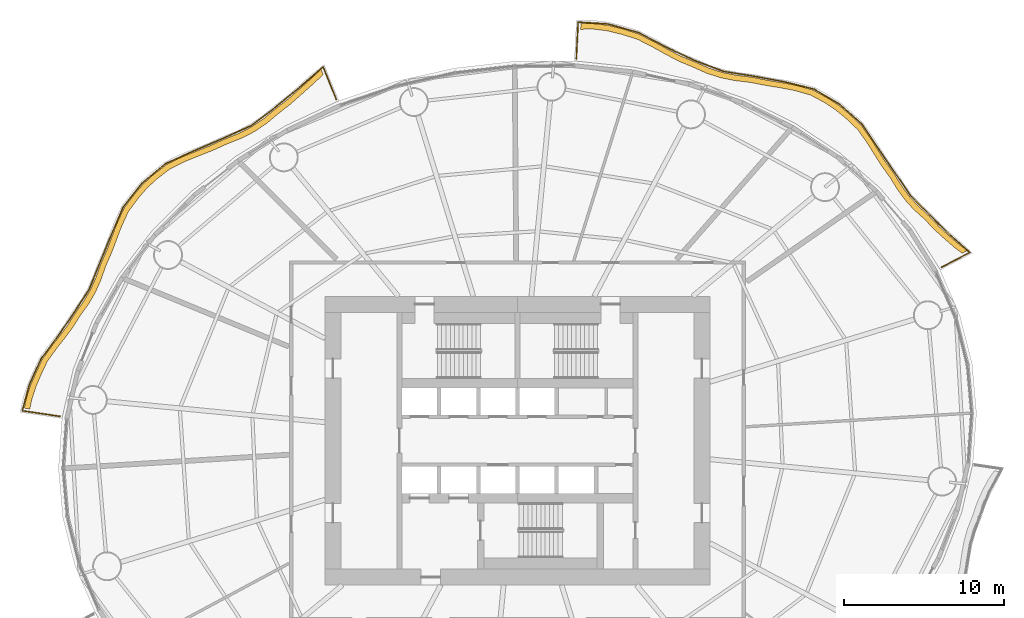
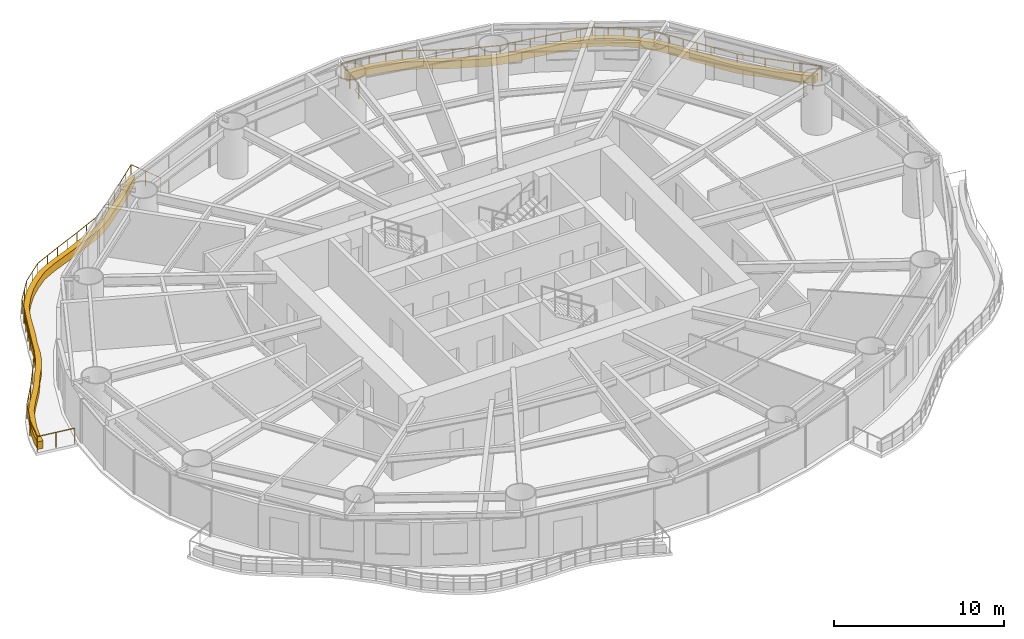
# One storey, part 16 of 16: 2 coverings, 2 railings.
"""IFC4 building model written with IfcOpenShell, lengths in metres."""

from ifc_helpers import new_model, si_unit, direction, frame, origin, origin_2d, place, context, subcontext, project, spatial, polyline, circle, outline, extrude, material, type_object, element, save


model = new_model("IFC4")

# Units and contexts
model_context = context("Model", 3, precision=1e-05, world=origin(), true_north=direction((0.0, 1.0)))
body_context = subcontext(model_context, "Body", "Model", "MODEL_VIEW")
ifc_project = project(units=[si_unit("LENGTHUNIT", "METRE"), si_unit("AREAUNIT", "SQUARE_METRE"), si_unit("VOLUMEUNIT", "CUBIC_METRE"), si_unit("PLANEANGLEUNIT", "RADIAN"), si_unit("MASSUNIT", "GRAM", prefix="KILO")], contexts=[model_context])

# Site, building, storey
site_placement = place(None, origin())
site = spatial("IfcSite", under=ifc_project, at=site_placement, CompositionType="ELEMENT")
building_placement = place(site_placement, origin())
building = spatial("IfcBuilding", under=site, at=building_placement, Name="Vermilion Reach Broadcast Tower", CompositionType="ELEMENT")
storey_placement = place(building_placement, frame((0.0, 0.0, 73.0)))
storey = spatial("IfcBuildingStorey", under=building, at=storey_placement, Name="L15", CompositionType="ELEMENT", Elevation=73.0)

# Coverings
ifc_material_1 = material(Name="Planting soil and greenery")
covering_type = type_object("IfcCoveringType", Name="Balcony PLANTER", PredefinedType="USERDEFINED", material=ifc_material_1)
placement = place(storey_placement, origin())
element("IfcCovering", 1, at=placement, inside=storey, type_object=covering_type, Name="PLANTER L15 group 1", ObjectType="PLANTER", PredefinedType="USERDEFINED", context=body_context, shape_type="SweptSolid", body=[
    extrude(outline(polyline([(22.017333984375, 11.8486328125), (21.476318359375, 12.2744140625), (20.854248046875, 12.81591796875), (20.249267578125, 13.368408203125), (19.63671875, 14.0205078125), (18.9716796875, 14.62890625), (18.42724609375, 15.223876953125), (17.947509765625, 15.874755859375), (17.4697265625, 16.64453125), (16.91552734375, 17.4013671875), (16.453857421875, 18.12841796875), (15.996826171875, 18.860595703125), (15.412353515625, 19.6708984375), (14.677490234375, 20.364013671875), (14.021240234375, 20.9091796875), (13.3134765625, 21.376708984375), (12.428955078125, 21.849853515625), (11.43310546875, 22.1376953125), (10.546630859375, 22.306396484375), (9.649169921875, 22.45263671875), (8.6796875, 22.648193359375), (7.688232421875, 22.77197265625), (6.80517578125, 22.944580078125), (5.954833984375, 23.2119140625), (5.076171875, 23.599609375), (4.160888671875, 23.9794921875), (3.3251953125, 24.412841796875), (2.496337890625, 24.87646484375), (1.5498046875, 25.3544921875), (0.53564453125, 25.674072265625), (-0.3701171875, 25.89404296875), (-1.287353515625, 26.006103515625), (-2.0458984375, 25.990234375), (-2.06298828125, 25.640625), (-1.323486328125, 25.657958984375), (-0.406494140625, 25.5458984375), (0.49951171875, 25.325927734375), (1.493896484375, 25.0087890625), (2.421142578125, 24.53466796875), (3.25, 24.071044921875), (4.085693359375, 23.6376953125), (4.98095703125, 23.2626953125), (5.84033203125, 22.88134765625), (6.690673828125, 22.614013671875), (7.57373046875, 22.441162109375), (8.545166015625, 22.324951171875), (9.4951171875, 22.13818359375), (10.392578125, 21.9921875), (11.279052734375, 21.823486328125), (12.255126953125, 21.546142578125), (13.12060546875, 21.084716796875), (13.828125, 20.6171875), (14.484619140625, 20.072021484375), (15.2001953125, 19.392578125), (15.76611328125, 18.59716796875), (16.223388671875, 17.865234375), (16.68505859375, 17.137939453125), (17.220947265625, 16.398193359375), (17.68212890625, 15.646728515625), (18.16162109375, 14.99609375), (18.7060546875, 14.40087890625), (19.35498046875, 13.81298828125), (19.952880859375, 13.182373046875), (20.557861328125, 12.6298828125), (21.179931640625, 12.08837890625), (21.707275390625, 11.68603515625), (22.017333984375, 11.8486328125)])), origin(), (0.0, 0.0, 1.0), 0.550048828125),
])
element("IfcCovering", 2, at=placement, inside=storey, type_object=covering_type, Name="PLANTER L15 group 2", ObjectType="PLANTER", PredefinedType="USERDEFINED", context=body_context, shape_type="SweptSolid", body=[
    extrude(outline(polyline([(-18.23974609375, 23.140869140625), (-18.815185546875, 22.609375), (-19.533935546875, 21.966552734375), (-20.254638671875, 21.327392578125), (-21.058349609375, 20.70263671875), (-21.818359375, 20.07080078125), (-22.57373046875, 19.563232421875), (-23.3857421875, 19.148193359375), (-24.3134765625, 18.776611328125), (-25.217529296875, 18.361572265625), (-26.0830078125, 18.019775390625), (-26.9443359375, 17.672607421875), (-27.88623046875, 17.20361328125), (-28.692138671875, 16.5810546875), (-29.333740234375, 15.99169921875), (-29.904296875, 15.332275390625), (-30.511962890625, 14.50634765625), (-30.94384765625, 13.587646484375), (-31.258544921875, 12.760986328125), (-31.5703125, 11.93212890625), (-31.96044921875, 11.05224609375), (-32.272705078125, 10.17822265625), (-32.6103515625, 9.419677734375), (-33.025390625, 8.705078125), (-33.55810546875, 7.962158203125), (-34.037841796875, 7.1953125), (-34.53564453125, 6.524658203125), (-35.056884765625, 5.86328125), (-35.629150390625, 5.05908203125), (-36.0341796875, 4.186767578125), (-36.351318359375, 3.449462890625), (-36.596923828125, 2.69580078125), (-36.738525390625, 2.03271484375), (-36.392333984375, 1.981201171875), (-36.255615234375, 2.61767578125), (-36.010009765625, 3.371337890625), (-35.693115234375, 4.108642578125), (-35.294921875, 4.955810546875), (-34.73095703125, 5.7353515625), (-34.2099609375, 6.396728515625), (-33.7119140625, 7.0673828125), (-33.2421875, 7.811279296875), (-32.720947265625, 8.5322265625), (-32.305908203125, 9.246826171875), (-31.968505859375, 10.00537109375), (-31.66845703125, 10.859375), (-31.292236328125, 11.719970703125), (-30.980224609375, 12.548828125), (-30.66552734375, 13.37548828125), (-30.247802734375, 14.276611328125), (-29.655517578125, 15.086181640625), (-29.0849609375, 15.74560546875), (-28.443359375, 16.3349609375), (-27.653076171875, 16.942626953125), (-26.727294921875, 17.39794921875), (-25.8662109375, 17.7451171875), (-25.000732421875, 18.0869140625), (-24.113037109375, 18.48974609375), (-23.202392578125, 18.85009765625), (-22.390380859375, 19.26513671875), (-21.635009765625, 19.772705078125), (-20.891845703125, 20.39453125), (-20.10595703125, 21.0107421875), (-19.38525390625, 21.649658203125), (-18.66650390625, 22.29248046875), (-18.108642578125, 22.81640625), (-18.23974609375, 23.140869140625)])), origin(), (0.0, 0.0, 1.0), 0.550048828125),
])

# Railings
ifc_material_2 = material(Name="Stainless steel 316 balustrade", Category="steel")
railing_type = type_object("IfcRailingType", Name="Balcony guard 1100", PredefinedType="BALUSTRADE", material=ifc_material_2)
railing_1_placement = place(storey_placement, frame((20.426513671875, 10.811767578125, 0.0)))
element("IfcRailing", 3, at=railing_1_placement, inside=storey, type_object=railing_type, Name="Balcony guard L15 group 1", PredefinedType="BALUSTRADE", context=body_context, shape_type="SweptSolid", body=[
    extrude(circle(Radius=0.02490234375, at=origin_2d()), frame((0.0, 0.0, 1.0751953125), z_axis=(0.885597833807, 0.464452878941, 0.0), x_axis=(-0.464452878941, 0.885597833807, 0.0)), (0.0, 0.0, 1.0), 1.984375),
    extrude(circle(Radius=0.02490234375, at=origin_2d()), frame((1.75732421875, 0.921630859375, 1.0751953125), z_axis=(-0.74645245457, 0.665438752303, 0.0), x_axis=(-0.665438752303, -0.74645245457, 0.0)), (0.0, 0.0, 1.0), 1.690673828125),
    extrude(circle(Radius=0.02490234375, at=origin_2d()), frame((0.495361328125, 2.046630859375, 1.0751953125), z_axis=(-0.710366918639, 0.703831542987, 0.0), x_axis=(-0.703831542987, -0.710366918639, 0.0)), (0.0, 0.0, 1.0), 1.718505859375),
    extrude(circle(Radius=0.02490234375, at=origin_2d()), frame((-0.725341796875, 3.256103515625, 1.0751953125), z_axis=(-0.708531246588, 0.705679440403, 0.0), x_axis=(-0.705679440403, -0.708531246588, 0.0)), (0.0, 0.0, 1.0), 1.712158203125),
    extrude(circle(Radius=0.02490234375, at=origin_2d()), frame((-1.9384765625, 4.46435546875, 1.0751953125), z_axis=(-0.559411859577, 0.82888984272, 0.0), x_axis=(-0.82888984272, -0.559411859577, 0.0)), (0.0, 0.0, 1.0), 1.71875),
    extrude(circle(Radius=0.02490234375, at=origin_2d()), frame((-2.89990234375, 5.888916015625, 1.0751953125), z_axis=(-0.565396853349, 0.824819009373, 0.0), x_axis=(-0.824819009373, -0.565396853349, 0.0)), (0.0, 0.0, 1.0), 1.803955078125),
    extrude(circle(Radius=0.02490234375, at=origin_2d()), frame((-3.919921875, 7.376953125, 1.0751953125), z_axis=(-0.560272413422, 0.828308410411, 0.0), x_axis=(-0.828308410411, -0.560272413422, 0.0)), (0.0, 0.0, 1.0), 1.8662109375),
    extrude(circle(Radius=0.02490234375, at=origin_2d()), frame((-4.965576171875, 8.9228515625, 1.0751953125), z_axis=(-0.747200164943, 0.664599062224, 0.0), x_axis=(-0.664599062224, -0.747200164943, 0.0)), (0.0, 0.0, 1.0), 1.867919921875),
    extrude(circle(Radius=0.02490234375, at=origin_2d()), frame((-6.361328125, 10.164306640625, 1.0751953125), z_axis=(-0.861015628275, 0.508578497252, 0.0), x_axis=(-0.508578497252, -0.861015628275, 0.0)), (0.0, 0.0, 1.0), 1.8544921875),
    extrude(circle(Radius=0.02490234375, at=origin_2d()), frame((-7.9580078125, 11.107421875, 1.0751953125), z_axis=(-0.971632475071, 0.236495947931, 0.0), x_axis=(-0.236495947931, -0.971632475071, 0.0)), (0.0, 0.0, 1.0), 1.94189453125),
    extrude(circle(Radius=0.02490234375, at=origin_2d()), frame((-9.8447265625, 11.566650390625, 1.0751953125), z_axis=(-0.983566703047, 0.180545120833, 0.0), x_axis=(-0.180545120833, -0.983566703047, 0.0)), (0.0, 0.0, 1.0), 1.902587890625),
    extrude(circle(Radius=0.02490234375, at=origin_2d()), frame((-11.716064453125, 11.91015625, 1.0751953125), z_axis=(-0.98763048244, 0.156799330849, 0.0), x_axis=(-0.156799330849, -0.98763048244, 0.0)), (0.0, 0.0, 1.0), 1.902587890625),
    extrude(circle(Radius=0.02490234375, at=origin_2d()), frame((-13.59521484375, 12.20849609375, 1.0751953125), z_axis=(-0.935220254366, 0.354066485033, 0.0), x_axis=(-0.354066485033, -0.935220254366, 0.0)), (0.0, 0.0, 1.0), 1.853515625),
    extrude(circle(Radius=0.02490234375, at=origin_2d()), frame((-15.32861328125, 12.86474609375, 1.0751953125), z_axis=(-0.907115641454, 0.420881471473, 0.0), x_axis=(-0.420881471473, -0.907115641454, 0.0)), (0.0, 0.0, 1.0), 1.93505859375),
    extrude(circle(Radius=0.02490234375, at=origin_2d()), frame((-17.083984375, 13.67919921875, 1.0751953125), z_axis=(-0.883784967835, 0.467893289788, 0.0), x_axis=(-0.467893289788, -0.883784967835, 0.0)), (0.0, 0.0, 1.0), 2.01416015625),
    extrude(circle(Radius=0.02490234375, at=origin_2d()), frame((-18.864013671875, 14.62158203125, 1.0751953125), z_axis=(-0.962772217846, 0.270313996206, 0.0), x_axis=(-0.270313996206, -0.962772217846, 0.0)), (0.0, 0.0, 1.0), 1.998779296875),
    extrude(circle(Radius=0.02490234375, at=origin_2d()), frame((-20.788330078125, 15.161865234375, 1.0751953125), z_axis=(-0.998084575656, 0.061864204821, 0.0), x_axis=(-0.061864204821, -0.998084575656, 0.0)), (0.0, 0.0, 1.0), 1.86279296875),
    extrude(circle(Radius=0.02490234375, at=origin_2d()), frame((-22.6474609375, 15.277099609375, 1.0751953125), z_axis=(-0.048886535579, -0.998804338516, 0.0), x_axis=(0.998804338516, -0.048886535579, 0.0)), (0.0, 0.0, 1.0), 2.2822265625),
    extrude(circle(Radius=0.02490234375, at=origin_2d()), origin(), (0.0, 0.0, 1.0), 1.050048828125),
    extrude(circle(Radius=0.02490234375, at=origin_2d()), frame((0.878662109375, 0.4609375, 0.0)), (0.0, 0.0, 1.0), 1.050048828125),
    extrude(circle(Radius=0.02490234375, at=origin_2d()), frame((1.75732421875, 0.921630859375, 0.0)), (0.0, 0.0, 1.0), 1.050048828125),
    extrude(circle(Radius=0.02490234375, at=origin_2d()), frame((0.495361328125, 2.046630859375, 0.0)), (0.0, 0.0, 1.0), 1.050048828125),
    extrude(circle(Radius=0.02490234375, at=origin_2d()), frame((-0.725341796875, 3.256103515625, 0.0)), (0.0, 0.0, 1.0), 1.050048828125),
    extrude(circle(Radius=0.02490234375, at=origin_2d()), frame((-1.9384765625, 4.46435546875, 0.0)), (0.0, 0.0, 1.0), 1.050048828125),
    extrude(circle(Radius=0.02490234375, at=origin_2d()), frame((-2.89990234375, 5.888916015625, 0.0)), (0.0, 0.0, 1.0), 1.050048828125),
    extrude(circle(Radius=0.02490234375, at=origin_2d()), frame((-3.409912109375, 6.6328125, 0.0)), (0.0, 0.0, 1.0), 1.050048828125),
    extrude(circle(Radius=0.02490234375, at=origin_2d()), frame((-3.919921875, 7.376953125, 0.0)), (0.0, 0.0, 1.0), 1.050048828125),
    extrude(circle(Radius=0.02490234375, at=origin_2d()), frame((-4.44287109375, 8.14990234375, 0.0)), (0.0, 0.0, 1.0), 1.050048828125),
    extrude(circle(Radius=0.02490234375, at=origin_2d()), frame((-4.965576171875, 8.9228515625, 0.0)), (0.0, 0.0, 1.0), 1.050048828125),
    extrude(circle(Radius=0.02490234375, at=origin_2d()), frame((-5.66357421875, 9.54345703125, 0.0)), (0.0, 0.0, 1.0), 1.050048828125),
    extrude(circle(Radius=0.02490234375, at=origin_2d()), frame((-6.361328125, 10.164306640625, 0.0)), (0.0, 0.0, 1.0), 1.050048828125),
    extrude(circle(Radius=0.02490234375, at=origin_2d()), frame((-7.15966796875, 10.6357421875, 0.0)), (0.0, 0.0, 1.0), 1.050048828125),
    extrude(circle(Radius=0.02490234375, at=origin_2d()), frame((-7.9580078125, 11.107421875, 0.0)), (0.0, 0.0, 1.0), 1.050048828125),
    extrude(circle(Radius=0.02490234375, at=origin_2d()), frame((-8.9013671875, 11.3369140625, 0.0)), (0.0, 0.0, 1.0), 1.050048828125),
    extrude(circle(Radius=0.02490234375, at=origin_2d()), frame((-9.8447265625, 11.566650390625, 0.0)), (0.0, 0.0, 1.0), 1.050048828125),
    extrude(circle(Radius=0.02490234375, at=origin_2d()), frame((-10.7802734375, 11.73828125, 0.0)), (0.0, 0.0, 1.0), 1.050048828125),
    extrude(circle(Radius=0.02490234375, at=origin_2d()), frame((-11.716064453125, 11.91015625, 0.0)), (0.0, 0.0, 1.0), 1.050048828125),
    extrude(circle(Radius=0.02490234375, at=origin_2d()), frame((-12.65576171875, 12.059326171875, 0.0)), (0.0, 0.0, 1.0), 1.050048828125),
    extrude(circle(Radius=0.02490234375, at=origin_2d()), frame((-13.59521484375, 12.20849609375, 0.0)), (0.0, 0.0, 1.0), 1.050048828125),
    extrude(circle(Radius=0.02490234375, at=origin_2d()), frame((-14.4619140625, 12.53662109375, 0.0)), (0.0, 0.0, 1.0), 1.050048828125),
    extrude(circle(Radius=0.02490234375, at=origin_2d()), frame((-15.32861328125, 12.86474609375, 0.0)), (0.0, 0.0, 1.0), 1.050048828125),
    extrude(circle(Radius=0.02490234375, at=origin_2d()), frame((-16.206298828125, 13.27197265625, 0.0)), (0.0, 0.0, 1.0), 1.050048828125),
    extrude(circle(Radius=0.02490234375, at=origin_2d()), frame((-17.083984375, 13.67919921875, 0.0)), (0.0, 0.0, 1.0), 1.050048828125),
    extrude(circle(Radius=0.02490234375, at=origin_2d()), frame((-17.97412109375, 14.150390625, 0.0)), (0.0, 0.0, 1.0), 1.050048828125),
    extrude(circle(Radius=0.02490234375, at=origin_2d()), frame((-18.864013671875, 14.62158203125, 0.0)), (0.0, 0.0, 1.0), 1.050048828125),
    extrude(circle(Radius=0.02490234375, at=origin_2d()), frame((-19.826171875, 14.8916015625, 0.0)), (0.0, 0.0, 1.0), 1.050048828125),
    extrude(circle(Radius=0.02490234375, at=origin_2d()), frame((-20.788330078125, 15.161865234375, 0.0)), (0.0, 0.0, 1.0), 1.050048828125),
    extrude(circle(Radius=0.02490234375, at=origin_2d()), frame((-21.7177734375, 15.219482421875, 0.0)), (0.0, 0.0, 1.0), 1.050048828125),
    extrude(circle(Radius=0.02490234375, at=origin_2d()), frame((-22.6474609375, 15.277099609375, 0.0)), (0.0, 0.0, 1.0), 1.050048828125),
    extrude(circle(Radius=0.02490234375, at=origin_2d()), frame((-22.703125, 14.13720703125, 0.0)), (0.0, 0.0, 1.0), 1.050048828125),
    extrude(circle(Radius=0.02490234375, at=origin_2d()), frame((-22.759033203125, 12.99755859375, 0.0)), (0.0, 0.0, 1.0), 1.050048828125),
])
railing_2_placement = place(storey_placement, frame((-17.293701171875, 21.279052734375, 0.0)))
element("IfcRailing", 4, at=railing_2_placement, inside=storey, type_object=railing_type, Name="Balcony guard L15 group 2", PredefinedType="BALUSTRADE", context=body_context, shape_type="SweptSolid", body=[
    extrude(circle(Radius=0.02490234375, at=origin_2d()), frame((0.0, 0.0, 1.0751953125), z_axis=(-0.374569056758, 0.927199019477, 0.0), x_axis=(-0.927199019477, -0.374569056758, 0.0)), (0.0, 0.0, 1.0), 2.17041015625),
    extrude(circle(Radius=0.02490234375, at=origin_2d()), frame((-0.81298828125, 2.012451171875, 1.0751953125), z_axis=(-0.759256602365, -0.650791373456, 0.0), x_axis=(0.650791373456, -0.759256602365, 0.0)), (0.0, 0.0, 1.0), 1.924560546875),
    extrude(circle(Radius=0.02490234375, at=origin_2d()), frame((-2.274169921875, 0.760009765625, 1.0751953125), z_axis=(-0.770073360388, -0.637955342967, 0.0), x_axis=(0.637955342967, -0.770073360388, 0.0)), (0.0, 0.0, 1.0), 1.984619140625),
    extrude(circle(Radius=0.02490234375, at=origin_2d()), frame((-3.802490234375, -0.506103515625, 1.0751953125), z_axis=(-0.799568149508, -0.600575369369, 0.0), x_axis=(0.600575369369, -0.799568149508, 0.0)), (0.0, 0.0, 1.0), 1.900390625),
    extrude(circle(Radius=0.02490234375, at=origin_2d()), frame((-5.322021484375, -1.6474609375, 1.0751953125), z_axis=(-0.91100753148, -0.412389715665, 0.0), x_axis=(0.412389715665, -0.91100753148, 0.0)), (0.0, 0.0, 1.0), 1.9140625),
    extrude(circle(Radius=0.02490234375, at=origin_2d()), frame((-7.065673828125, -2.436767578125, 1.0751953125), z_axis=(-0.919223567787, -0.393735993307, 0.0), x_axis=(0.393735993307, -0.919223567787, 0.0)), (0.0, 0.0, 1.0), 1.928955078125),
    extrude(circle(Radius=0.02490234375, at=origin_2d()), frame((-8.8388671875, -3.1962890625, 1.0751953125), z_axis=(-0.910715879257, -0.41303339728, 0.0), x_axis=(0.41303339728, -0.910715879257, 0.0)), (0.0, 0.0, 1.0), 1.984375),
    extrude(circle(Radius=0.02490234375, at=origin_2d()), frame((-10.64599609375, -4.015869140625, 1.0751953125), z_axis=(-0.766664635139, -0.64204776865, 0.0), x_axis=(0.64204776865, -0.766664635139, 0.0)), (0.0, 0.0, 1.0), 1.892578125),
    extrude(circle(Radius=0.02490234375, at=origin_2d()), frame((-12.096923828125, -5.23095703125, 1.0751953125), z_axis=(-0.621557801624, -0.783368303699, 0.0), x_axis=(0.783368303699, -0.621557801624, 0.0)), (0.0, 0.0, 1.0), 1.901123046875),
    extrude(circle(Radius=0.02490234375, at=origin_2d()), frame((-13.278564453125, -6.72021484375, 1.0751953125), z_axis=(-0.394058626474, -0.919085305563, 0.0), x_axis=(0.919085305563, -0.394058626474, 0.0)), (0.0, 0.0, 1.0), 1.9033203125),
    extrude(circle(Radius=0.02490234375, at=origin_2d()), frame((-14.028564453125, -8.469482421875, 1.0751953125), z_axis=(-0.380597349659, -0.92474085961, 0.0), x_axis=(0.92474085961, -0.380597349659, 0.0)), (0.0, 0.0, 1.0), 1.8525390625),
    extrude(circle(Radius=0.02490234375, at=origin_2d()), frame((-14.733642578125, -10.1826171875, 1.0751953125), z_axis=(-0.37026790333, -0.928925012993, 0.0), x_axis=(0.928925012993, -0.37026790333, 0.0)), (0.0, 0.0, 1.0), 1.762451171875),
    extrude(circle(Radius=0.02490234375, at=origin_2d()), frame((-15.38623046875, -11.81982421875, 1.0751953125), z_axis=(-0.544875194684, -0.838517156782, 0.0), x_axis=(0.838517156782, -0.544875194684, 0.0)), (0.0, 0.0, 1.0), 1.744384765625),
    extrude(circle(Radius=0.02490234375, at=origin_2d()), frame((-16.336669921875, -13.282470703125, 1.0751953125), z_axis=(-0.561819769654, -0.827259660824, 0.0), x_axis=(0.827259660824, -0.561819769654, 0.0)), (0.0, 0.0, 1.0), 1.743896484375),
    extrude(circle(Radius=0.02490234375, at=origin_2d()), frame((-17.31640625, -14.72509765625, 1.0751953125), z_axis=(-0.597313505906, -0.80200784015, 0.0), x_axis=(0.80200784015, -0.597313505906, 0.0)), (0.0, 0.0, 1.0), 1.83447265625),
    extrude(circle(Radius=0.02490234375, at=origin_2d()), frame((-18.412109375, -16.1962890625, 1.0751953125), z_axis=(-0.408683598342, -0.912676129, 0.0), x_axis=(0.912676129, -0.408683598342, 0.0)), (0.0, 0.0, 1.0), 1.77001953125),
    extrude(circle(Radius=0.02490234375, at=origin_2d()), frame((-19.135498046875, -17.811767578125, 1.0751953125), z_axis=(-0.259094994985, -0.96585184349, 0.0), x_axis=(0.96585184349, -0.259094994985, 0.0)), (0.0, 0.0, 1.0), 1.654541015625),
    extrude(circle(Radius=0.02490234375, at=origin_2d()), frame((-19.564208984375, -19.409912109375, 1.0751953125), z_axis=(0.989074854201, -0.147414153957, 0.0), x_axis=(0.147414153957, 0.989074854201, 0.0)), (0.0, 0.0, 1.0), 2.37158203125),
    extrude(circle(Radius=0.02490234375, at=origin_2d()), origin(), (0.0, 0.0, 1.0), 1.050048828125),
    extrude(circle(Radius=0.02490234375, at=origin_2d()), frame((-0.406494140625, 1.00634765625, 0.0)), (0.0, 0.0, 1.0), 1.050048828125),
    extrude(circle(Radius=0.02490234375, at=origin_2d()), frame((-0.81298828125, 2.012451171875, 0.0)), (0.0, 0.0, 1.0), 1.050048828125),
    extrude(circle(Radius=0.02490234375, at=origin_2d()), frame((-1.54345703125, 1.38623046875, 0.0)), (0.0, 0.0, 1.0), 1.050048828125),
    extrude(circle(Radius=0.02490234375, at=origin_2d()), frame((-2.274169921875, 0.760009765625, 0.0)), (0.0, 0.0, 1.0), 1.050048828125),
    extrude(circle(Radius=0.02490234375, at=origin_2d()), frame((-3.038330078125, 0.126953125, 0.0)), (0.0, 0.0, 1.0), 1.050048828125),
    extrude(circle(Radius=0.02490234375, at=origin_2d()), frame((-3.802490234375, -0.506103515625, 0.0)), (0.0, 0.0, 1.0), 1.050048828125),
    extrude(circle(Radius=0.02490234375, at=origin_2d()), frame((-4.562255859375, -1.07666015625, 0.0)), (0.0, 0.0, 1.0), 1.050048828125),
    extrude(circle(Radius=0.02490234375, at=origin_2d()), frame((-5.322021484375, -1.6474609375, 0.0)), (0.0, 0.0, 1.0), 1.050048828125),
    extrude(circle(Radius=0.02490234375, at=origin_2d()), frame((-6.19384765625, -2.0419921875, 0.0)), (0.0, 0.0, 1.0), 1.050048828125),
    extrude(circle(Radius=0.02490234375, at=origin_2d()), frame((-7.065673828125, -2.436767578125, 0.0)), (0.0, 0.0, 1.0), 1.050048828125),
    extrude(circle(Radius=0.02490234375, at=origin_2d()), frame((-7.9521484375, -2.81640625, 0.0)), (0.0, 0.0, 1.0), 1.050048828125),
    extrude(circle(Radius=0.02490234375, at=origin_2d()), frame((-8.8388671875, -3.1962890625, 0.0)), (0.0, 0.0, 1.0), 1.050048828125),
    extrude(circle(Radius=0.02490234375, at=origin_2d()), frame((-9.742431640625, -3.60595703125, 0.0)), (0.0, 0.0, 1.0), 1.050048828125),
    extrude(circle(Radius=0.02490234375, at=origin_2d()), frame((-10.64599609375, -4.015869140625, 0.0)), (0.0, 0.0, 1.0), 1.050048828125),
    extrude(circle(Radius=0.02490234375, at=origin_2d()), frame((-11.37158203125, -4.62353515625, 0.0)), (0.0, 0.0, 1.0), 1.050048828125),
    extrude(circle(Radius=0.02490234375, at=origin_2d()), frame((-12.096923828125, -5.23095703125, 0.0)), (0.0, 0.0, 1.0), 1.050048828125),
    extrude(circle(Radius=0.02490234375, at=origin_2d()), frame((-12.687744140625, -5.9755859375, 0.0)), (0.0, 0.0, 1.0), 1.050048828125),
    extrude(circle(Radius=0.02490234375, at=origin_2d()), frame((-13.278564453125, -6.72021484375, 0.0)), (0.0, 0.0, 1.0), 1.050048828125),
    extrude(circle(Radius=0.02490234375, at=origin_2d()), frame((-13.653564453125, -7.5947265625, 0.0)), (0.0, 0.0, 1.0), 1.050048828125),
    extrude(circle(Radius=0.02490234375, at=origin_2d()), frame((-14.028564453125, -8.469482421875, 0.0)), (0.0, 0.0, 1.0), 1.050048828125),
    extrude(circle(Radius=0.02490234375, at=origin_2d()), frame((-14.381103515625, -9.326171875, 0.0)), (0.0, 0.0, 1.0), 1.050048828125),
    extrude(circle(Radius=0.02490234375, at=origin_2d()), frame((-14.733642578125, -10.1826171875, 0.0)), (0.0, 0.0, 1.0), 1.050048828125),
    extrude(circle(Radius=0.02490234375, at=origin_2d()), frame((-15.38623046875, -11.81982421875, 0.0)), (0.0, 0.0, 1.0), 1.050048828125),
    extrude(circle(Radius=0.02490234375, at=origin_2d()), frame((-16.336669921875, -13.282470703125, 0.0)), (0.0, 0.0, 1.0), 1.050048828125),
    extrude(circle(Radius=0.02490234375, at=origin_2d()), frame((-17.31640625, -14.72509765625, 0.0)), (0.0, 0.0, 1.0), 1.050048828125),
    extrude(circle(Radius=0.02490234375, at=origin_2d()), frame((-17.8642578125, -15.460693359375, 0.0)), (0.0, 0.0, 1.0), 1.050048828125),
    extrude(circle(Radius=0.02490234375, at=origin_2d()), frame((-18.412109375, -16.1962890625, 0.0)), (0.0, 0.0, 1.0), 1.050048828125),
    extrude(circle(Radius=0.02490234375, at=origin_2d()), frame((-19.135498046875, -17.811767578125, 0.0)), (0.0, 0.0, 1.0), 1.050048828125),
    extrude(circle(Radius=0.02490234375, at=origin_2d()), frame((-19.564208984375, -19.409912109375, 0.0)), (0.0, 0.0, 1.0), 1.050048828125),
    extrude(circle(Radius=0.02490234375, at=origin_2d()), frame((-18.391357421875, -19.584716796875, 0.0)), (0.0, 0.0, 1.0), 1.050048828125),
    extrude(circle(Radius=0.02490234375, at=origin_2d()), frame((-17.218505859375, -19.759521484375, 0.0)), (0.0, 0.0, 1.0), 1.050048828125),
])

save(model, "model.ifc")
